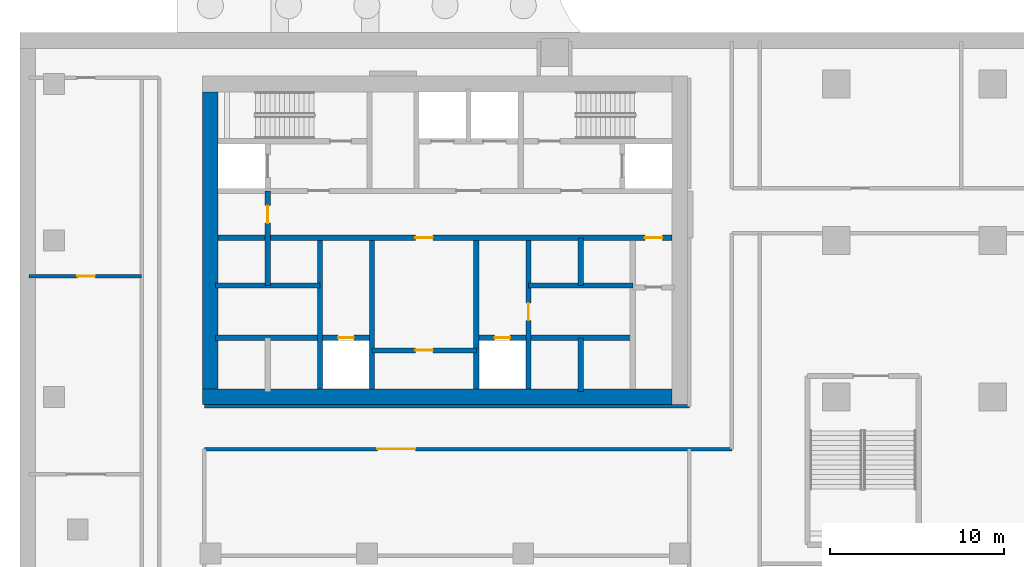
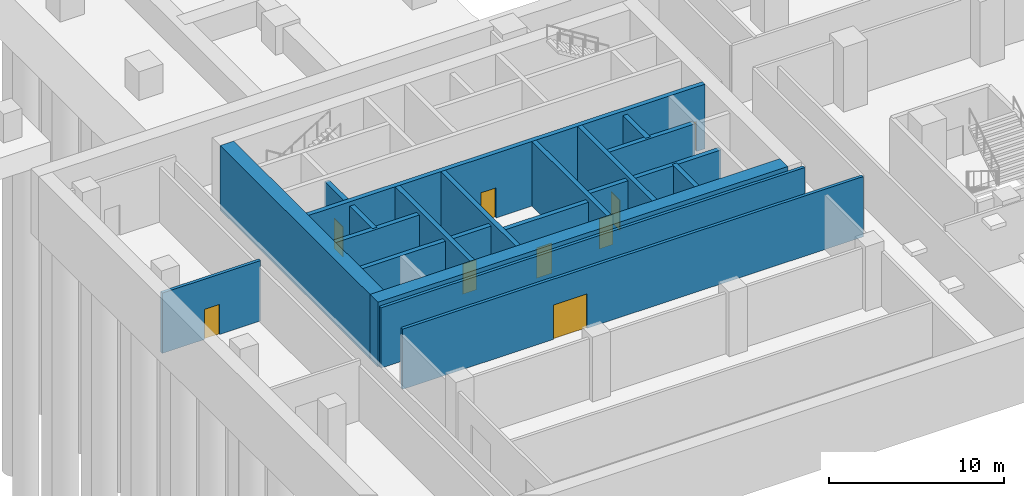
# One storey, part 4 of 14: 18 walls, 9 doors, 9 openings.
"""IFC4 building model written with IfcOpenShell, lengths in metres."""

from ifc_helpers import new_model, si_unit, direction, frame, frame_2d, origin, place, context, subcontext, project, spatial, rectangle, extrude, material, layer, layer_set, type_object, element, fill, save


model = new_model("IFC4")

# Units and contexts
model_context = context("Model", 3, precision=1e-05, world=origin(), true_north=direction((0.0, 1.0)))
body_context = subcontext(model_context, "Body", "Model", "MODEL_VIEW")
ifc_project = project(units=[si_unit("LENGTHUNIT", "METRE"), si_unit("AREAUNIT", "SQUARE_METRE"), si_unit("VOLUMEUNIT", "CUBIC_METRE"), si_unit("PLANEANGLEUNIT", "RADIAN"), si_unit("MASSUNIT", "GRAM", prefix="KILO")], contexts=[model_context])

# Site, building, storey
site_placement = place(None, origin())
site = spatial("IfcSite", under=ifc_project, at=site_placement, CompositionType="ELEMENT")
building_placement = place(site_placement, origin())
building = spatial("IfcBuilding", under=site, at=building_placement, Name="Ogive Portal Towers", CompositionType="ELEMENT")
storey_placement = place(building_placement, frame((0.0, 0.0, -4.5)))
storey = spatial("IfcBuildingStorey", under=building, at=storey_placement, Name="B1", CompositionType="ELEMENT", Elevation=-4.5)

# Walls
ifc_material_1 = material(Name="Concrete C60/75", Category="concrete")
ifc_layer_1 = layer(ifc_material_1, 0.300048828125)
ifc_layer_set_1 = layer_set([ifc_layer_1], Name="CORE WALL 300 C60")
wall_type_1 = type_object("IfcWallType", Name="CORE WALL 300 C60", PredefinedType="SHEAR", material=ifc_layer_set_1)
for number, where, z_axis, x_axis, name in (
    (1, (37.800048828125, 21.949951171875, 0.0), (0.0, 0.0, 1.0), (0.0, 1.0, 0.0), "Core wall X1 B1"),
    (2, (40.800048828125, 21.949951171875, 0.0), (0.0, 0.0, 1.0), (0.0, 1.0, 0.0), "Core wall X2 B1"),
    (3, (46.800048828125, 21.949951171875, 0.0), (0.0, 0.0, 1.0), (0.0, 1.0, 0.0), "Core wall X3 B1"),
):
    element("IfcWall", number, at=place(storey_placement, frame(where, z_axis=z_axis, x_axis=x_axis)), inside=storey, type_object=wall_type_1, Name=name, PredefinedType="SHEAR", context=body_context, shape_type="SweptSolid", body=[
        extrude(rectangle(XDim=8.550048828125, YDim=0.300048828125, at=frame_2d((4.27490234375, 0.0))), origin(), (0.0, 0.0, 1.0), 4.5),
    ])

# Wall, opening, door
wall_1_placement = place(storey_placement, frame((49.800048828125, 21.949951171875, 0.0), z_axis=(0.0, 0.0, 1.0), x_axis=(0.0, 1.0, 0.0)))
wall_1 = element("IfcWall", 4, at=wall_1_placement, inside=storey, type_object=wall_type_1, Name="Core wall X4 B1", PredefinedType="SHEAR", context=body_context, shape_type="SweptSolid", body=[
    extrude(rectangle(XDim=8.550048828125, YDim=0.300048828125, at=frame_2d((4.27490234375, 0.0))), origin(), (0.0, 0.0, 1.0), 4.5),
])
opening_1_placement = place(wall_1_placement, frame((3.949951171875, 0.0, 0.0)))
opening_1 = element("IfcOpeningElement", 5, at=opening_1_placement, cuts=wall_1, Name="Opening D101-016", PredefinedType="OPENING", context=body_context, shape_type="SweptSolid", body=[
    extrude(rectangle(XDim=1.0, YDim=2.10009765625, at=frame_2d((0.5, 1.050048828125))), frame((0.0, 0.16015625, 0.0), z_axis=(0.0, -1.0, 0.0), x_axis=(1.0, 0.0, 0.0)), (0.0, 0.0, 1.0), 0.320068359375),
])
ifc_material_2 = material(Name="Steel fire door", Category="steel")
door_type_1 = type_object("IfcDoorType", Name="DT-SWING-1000x2100-FD90S", OperationType="SINGLE_SWING_LEFT", PredefinedType="DOOR", material=ifc_material_2)
door_1_placement = place(opening_1_placement, origin())
door_1 = element("IfcDoor", 6, at=door_1_placement, inside=storey, type_object=door_type_1, Name="Door D101-016", OperationType="SINGLE_SWING_LEFT", OverallHeight=2.10009765625, OverallWidth=1.0, PredefinedType="DOOR", context=body_context, shape_type="SweptSolid", body=[
    extrude(rectangle(XDim=1.0, YDim=2.10009765625, at=frame_2d((0.5, 1.050048828125))), frame((0.0, 0.02490234375, 0.0), z_axis=(0.0, -1.0, 0.0), x_axis=(1.0, 0.0, 0.0)), (0.0, 0.0, 1.0), 0.050048828125),
])
fill(opening_1, door_1)

# Wall, openings, doors
wall_2_placement = place(storey_placement, frame((31.949951171875, 30.64990234375, 0.0), z_axis=(0.0, 0.0, 1.0), x_axis=(1.0, 0.0, 0.0)))
wall_2 = element("IfcWall", 7, at=wall_2_placement, inside=storey, type_object=wall_type_1, Name="Core wall Y1 B1", PredefinedType="SHEAR", context=body_context, shape_type="SweptSolid", body=[
    extrude(rectangle(XDim=26.10009765625, YDim=0.300048828125, at=frame_2d((13.050048828125, 0.0))), origin(), (0.0, 0.0, 1.0), 4.5),
])
opening_2_placement = place(wall_2_placement, frame((24.550048828125, 0.0, 0.0)))
opening_2 = element("IfcOpeningElement", 8, at=opening_2_placement, cuts=wall_2, Name="Opening D101-008", PredefinedType="OPENING", context=body_context, shape_type="SweptSolid", body=[
    extrude(rectangle(XDim=1.0, YDim=2.10009765625, at=frame_2d((0.5, 1.050048828125))), frame((0.0, 0.16015625, 0.0), z_axis=(0.0, -1.0, 0.0), x_axis=(1.0, 0.0, 0.0)), (0.0, 0.0, 1.0), 0.320068359375),
])
opening_3_placement = place(wall_2_placement, frame((11.35009765625, 0.0, 0.0)))
opening_3 = element("IfcOpeningElement", 9, at=opening_3_placement, cuts=wall_2, Name="Opening D101-014", PredefinedType="OPENING", context=body_context, shape_type="SweptSolid", body=[
    extrude(rectangle(XDim=1.0, YDim=2.10009765625, at=frame_2d((0.5, 1.050048828125))), frame((0.0, 0.16015625, 0.0), z_axis=(0.0, -1.0, 0.0), x_axis=(1.0, 0.0, 0.0)), (0.0, 0.0, 1.0), 0.320068359375),
])
door_2_placement = place(opening_2_placement, origin())
door_2 = element("IfcDoor", 10, at=door_2_placement, inside=storey, type_object=door_type_1, Name="Door D101-008", OperationType="SINGLE_SWING_LEFT", OverallHeight=2.10009765625, OverallWidth=1.0, PredefinedType="DOOR", context=body_context, shape_type="SweptSolid", body=[
    extrude(rectangle(XDim=1.0, YDim=2.10009765625, at=frame_2d((0.5, 1.050048828125))), frame((0.0, 0.02490234375, 0.0), z_axis=(0.0, -1.0, 0.0), x_axis=(1.0, 0.0, 0.0)), (0.0, 0.0, 1.0), 0.050048828125),
])
fill(opening_2, door_2)
door_3_placement = place(opening_3_placement, origin())
door_3 = element("IfcDoor", 11, at=door_3_placement, inside=storey, type_object=door_type_1, Name="Door D101-014", OperationType="SINGLE_SWING_LEFT", OverallHeight=2.10009765625, OverallWidth=1.0, PredefinedType="DOOR", context=body_context, shape_type="SweptSolid", body=[
    extrude(rectangle(XDim=1.0, YDim=2.10009765625, at=frame_2d((0.5, 1.050048828125))), frame((0.0, 0.02490234375, 0.0), z_axis=(0.0, -1.0, 0.0), x_axis=(1.0, 0.0, 0.0)), (0.0, 0.0, 1.0), 0.050048828125),
])
fill(opening_3, door_3)

# Walls
ifc_layer_2 = layer(ifc_material_1, 0.89990234375)
ifc_layer_set_2 = layer_set([ifc_layer_2], Name="CORE WALL 900 C60")
wall_type_2 = type_object("IfcWallType", Name="CORE WALL 900 C60", PredefinedType="SHEAR", material=ifc_layer_set_2)
wall_3_placement = place(storey_placement, frame((31.5, 21.949951171875, 0.0), z_axis=(0.0, 0.0, 1.0), x_axis=(0.0, 1.0, 0.0)))
element("IfcWall", 12, at=wall_3_placement, inside=storey, type_object=wall_type_2, Name="Core wall W B1", PredefinedType="SHEAR", context=body_context, shape_type="SweptSolid", body=[
    extrude(rectangle(XDim=17.10009765625, YDim=0.89990234375, at=frame_2d((8.550048828125, 0.0))), origin(), (0.0, 0.0, 1.0), 4.5),
])
wall_4_placement = place(storey_placement, frame((31.050048828125, 21.5, 0.0), z_axis=(0.0, 0.0, 1.0), x_axis=(1.0, 0.0, 0.0)))
element("IfcWall", 13, at=wall_4_placement, inside=storey, type_object=wall_type_2, Name="Core wall S B1", PredefinedType="SHEAR", context=body_context, shape_type="SweptSolid", body=[
    extrude(rectangle(XDim=27.0, YDim=0.89990234375, at=frame_2d((13.5, 0.0))), origin(), (0.0, 0.0, 1.0), 4.5),
])

# Wall, opening, door
ifc_material_3 = material(Name="Gypsum board partition on steel studs", Category="steel")
ifc_layer_3 = layer(ifc_material_3, 0.199951171875)
ifc_layer_set_3 = layer_set([ifc_layer_3], Name="WT-PART-200-EI 60")
wall_type_3 = type_object("IfcWallType", Name="WT-PART-200-EI 60", PredefinedType="PARTITIONING", material=ifc_layer_set_3)
wall_5_placement = place(storey_placement, frame((31.14990234375, 18.5, 0.0), z_axis=(0.0, 0.0, 1.0), x_axis=(1.0, 0.0, 0.0)))
wall_5 = element("IfcWall", 14, at=wall_5_placement, inside=storey, type_object=wall_type_3, Name="Wall B1:w006", PredefinedType="PARTITIONING", context=body_context, shape_type="SweptSolid", body=[
    extrude(rectangle(XDim=30.35009765625, YDim=0.199951171875, at=frame_2d((15.175048828125, 0.0))), origin(), (0.0, 0.0, 1.0), 4.199951171875),
])
opening_4_placement = place(wall_5_placement, frame((9.949951171875, 0.0, 0.0)))
opening_4 = element("IfcOpeningElement", 15, at=opening_4_placement, cuts=wall_5, Name="Opening PB1-014", PredefinedType="OPENING", context=body_context, shape_type="SweptSolid", body=[
    extrude(rectangle(XDim=2.199951171875, YDim=2.39990234375, at=frame_2d((1.10009765625, 1.199951171875))), frame((0.0, 0.10986328125, 0.0), z_axis=(0.0, -1.0, 0.0), x_axis=(1.0, 0.0, 0.0)), (0.0, 0.0, 1.0), 0.219970703125),
])
door_type_2 = type_object("IfcDoorType", Name="DT-PLANT-2200x2400-FD60S", OperationType="SINGLE_SWING_LEFT", PredefinedType="DOOR", material=ifc_material_2)
door_4_placement = place(opening_4_placement, origin())
door_4 = element("IfcDoor", 16, at=door_4_placement, inside=storey, type_object=door_type_2, Name="Door PB1-014", OperationType="SINGLE_SWING_RIGHT", OverallHeight=2.39990234375, OverallWidth=2.199951171875, PredefinedType="DOOR", context=body_context, shape_type="SweptSolid", body=[
    extrude(rectangle(XDim=2.199951171875, YDim=2.39990234375, at=frame_2d((1.10009765625, 1.199951171875))), frame((0.0, 0.02490234375, 0.0), z_axis=(0.0, -1.0, 0.0), x_axis=(1.0, 0.0, 0.0)), (0.0, 0.0, 1.0), 0.050048828125),
])
fill(opening_4, door_4)

# Wall
wall_6_placement = place(storey_placement, frame((31.14990234375, 20.949951171875, 0.0), z_axis=(0.0, 0.0, 1.0), x_axis=(1.0, 0.0, 0.0)))
element("IfcWall", 17, at=wall_6_placement, inside=storey, type_object=wall_type_3, Name="Wall B1:w007", PredefinedType="PARTITIONING", context=body_context, shape_type="SweptSolid", body=[
    extrude(rectangle(XDim=27.900146484375, YDim=0.199951171875, at=frame_2d((13.9501953125, 0.0))), origin(), (0.0, 0.0, 1.0), 4.199951171875),
])

# Wall, opening, door
wall_7_placement = place(storey_placement, frame((21.070068359375, 28.449951171875, 0.0), z_axis=(0.0, 0.0, 1.0), x_axis=(1.0, 0.0, 0.0)))
wall_7 = element("IfcWall", 18, at=wall_7_placement, inside=storey, type_object=wall_type_3, Name="Wall B1:w010", PredefinedType="PARTITIONING", context=body_context, shape_type="SweptSolid", body=[
    extrude(rectangle(XDim=6.47998046875, YDim=0.199951171875, at=frame_2d((3.239990234375, 0.0))), origin(), (0.0, 0.0, 1.0), 4.199951171875),
])
opening_5_placement = place(wall_7_placement, frame((2.780029296875, 0.0, 0.0)))
opening_5 = element("IfcOpeningElement", 19, at=opening_5_placement, cuts=wall_7, Name="Opening PB1-015", PredefinedType="OPENING", context=body_context, shape_type="SweptSolid", body=[
    extrude(rectangle(XDim=1.0, YDim=2.10009765625, at=frame_2d((0.5, 1.050048828125))), frame((0.0, 0.10986328125, 0.0), z_axis=(0.0, -1.0, 0.0), x_axis=(1.0, 0.0, 0.0)), (0.0, 0.0, 1.0), 0.219970703125),
])
door_type_3 = type_object("IfcDoorType", Name="DT-SWING-1000x2100-FD60S", OperationType="SINGLE_SWING_LEFT", PredefinedType="DOOR", material=ifc_material_2)
door_5_placement = place(opening_5_placement, origin())
door_5 = element("IfcDoor", 20, at=door_5_placement, inside=storey, type_object=door_type_3, Name="Door PB1-015", OperationType="SINGLE_SWING_LEFT", OverallHeight=2.10009765625, OverallWidth=1.0, PredefinedType="DOOR", context=body_context, shape_type="SweptSolid", body=[
    extrude(rectangle(XDim=1.0, YDim=2.10009765625, at=frame_2d((0.5, 1.050048828125))), frame((0.0, 0.02490234375, 0.0), z_axis=(0.0, -1.0, 0.0), x_axis=(1.0, 0.0, 0.0)), (0.0, 0.0, 1.0), 0.050048828125),
])
fill(opening_5, door_5)

ifc_layer_4 = layer(ifc_material_3, 0.300048828125)
ifc_layer_set_4 = layer_set([ifc_layer_4], Name="WT-PART-300")
wall_type_4 = type_object("IfcWallType", Name="WT-PART-300", PredefinedType="PARTITIONING", material=ifc_layer_set_4)
wall_8_placement = place(storey_placement, frame((40.800048828125, 24.173095703125, 0.0), z_axis=(0.0, 0.0, 1.0), x_axis=(1.0, 0.0, 0.0)))
wall_8 = element("IfcWall", 21, at=wall_8_placement, inside=storey, type_object=wall_type_4, Name="Wall pw:001:B1", PredefinedType="PARTITIONING", context=body_context, shape_type="SweptSolid", body=[
    extrude(rectangle(XDim=6.0, YDim=0.300048828125, at=frame_2d((3.0, 0.0))), origin(), (0.0, 0.0, 1.0), 4.199951171875),
])
opening_6_placement = place(wall_8_placement, frame((2.5, 0.0, 0.0)))
opening_6 = element("IfcOpeningElement", 22, at=opening_6_placement, cuts=wall_8, Name="Opening D101-015", PredefinedType="OPENING", context=body_context, shape_type="SweptSolid", body=[
    extrude(rectangle(XDim=1.0, YDim=2.10009765625, at=frame_2d((0.5, 1.050048828125))), frame((0.0, 0.16015625, 0.0), z_axis=(0.0, -1.0, 0.0), x_axis=(1.0, 0.0, 0.0)), (0.0, 0.0, 1.0), 0.320068359375),
])
door_6_placement = place(opening_6_placement, origin())
door_6 = element("IfcDoor", 23, at=door_6_placement, inside=storey, type_object=door_type_3, Name="Riser access door D101-015", OperationType="SINGLE_SWING_RIGHT", OverallHeight=2.10009765625, OverallWidth=1.0, PredefinedType="DOOR", context=body_context, shape_type="SweptSolid", body=[
    extrude(rectangle(XDim=1.0, YDim=2.10009765625, at=frame_2d((0.5, 1.050048828125))), frame((0.0, 0.02490234375, 0.0), z_axis=(0.0, -1.0, 0.0), x_axis=(1.0, 0.0, 0.0)), (0.0, 0.0, 1.0), 0.050048828125),
])
fill(opening_6, door_6)

ifc_material_4 = material(Name="Concrete C40/50", Category="concrete")
ifc_layer_5 = layer(ifc_material_4, 0.300048828125)
ifc_layer_set_5 = layer_set([ifc_layer_5], Name="WT-SHAFT-300")
wall_type_5 = type_object("IfcWallType", Name="WT-SHAFT-300", PredefinedType="SOLIDWALL", material=ifc_layer_set_5)
wall_9_placement = place(storey_placement, frame((31.800048828125, 24.89990234375, 0.0), z_axis=(0.0, 0.0, 1.0), x_axis=(1.0, 0.0, 0.0)))
wall_9 = element("IfcWall", 24, at=wall_9_placement, inside=storey, type_object=wall_type_5, Name="Wall pw:002:B1", PredefinedType="SOLIDWALL", context=body_context, shape_type="SweptSolid", body=[
    extrude(rectangle(XDim=9.0, YDim=0.300048828125, at=frame_2d((4.5, 0.0))), origin(), (0.0, 0.0, 1.0), 4.199951171875),
])
opening_7_placement = place(wall_9_placement, frame((7.050048828125, 0.0, 0.0)))
opening_7 = element("IfcOpeningElement", 25, at=opening_7_placement, cuts=wall_9, Name="Opening D101-006", PredefinedType="OPENING", context=body_context, shape_type="SweptSolid", body=[
    extrude(rectangle(XDim=0.89990234375, YDim=2.10009765625, at=frame_2d((0.449951171875, 1.050048828125))), frame((0.0, 0.16015625, 0.0), z_axis=(0.0, -1.0, 0.0), x_axis=(1.0, 0.0, 0.0)), (0.0, 0.0, 1.0), 0.320068359375),
])
door_type_4 = type_object("IfcDoorType", Name="DT-SWING-900x2100-FD90S", OperationType="SINGLE_SWING_LEFT", PredefinedType="DOOR", material=ifc_material_2)
door_7_placement = place(opening_7_placement, origin())
door_7 = element("IfcDoor", 26, at=door_7_placement, inside=storey, type_object=door_type_4, Name="Riser access door D101-006", OperationType="SINGLE_SWING_LEFT", OverallHeight=2.10009765625, OverallWidth=0.89990234375, PredefinedType="DOOR", context=body_context, shape_type="SweptSolid", body=[
    extrude(rectangle(XDim=0.89990234375, YDim=2.10009765625, at=frame_2d((0.449951171875, 1.050048828125))), frame((0.0, 0.02490234375, 0.0), z_axis=(0.0, -1.0, 0.0), x_axis=(1.0, 0.0, 0.0)), (0.0, 0.0, 1.0), 0.050048828125),
])
fill(opening_7, door_7)

wall_10_placement = place(storey_placement, frame((46.800048828125, 24.89990234375, 0.0), z_axis=(0.0, 0.0, 1.0), x_axis=(1.0, 0.0, 0.0)))
wall_10 = element("IfcWall", 27, at=wall_10_placement, inside=storey, type_object=wall_type_5, Name="Wall pw:003:B1", PredefinedType="SOLIDWALL", context=body_context, shape_type="SweptSolid", body=[
    extrude(rectangle(XDim=9.0, YDim=0.300048828125, at=frame_2d((4.5, 0.0))), origin(), (0.0, 0.0, 1.0), 4.199951171875),
])
opening_8_placement = place(wall_10_placement, frame((1.050048828125, 0.0, 0.0)))
opening_8 = element("IfcOpeningElement", 28, at=opening_8_placement, cuts=wall_10, Name="Opening D101-007", PredefinedType="OPENING", context=body_context, shape_type="SweptSolid", body=[
    extrude(rectangle(XDim=0.89990234375, YDim=2.10009765625, at=frame_2d((0.449951171875, 1.050048828125))), frame((0.0, 0.16015625, 0.0), z_axis=(0.0, -1.0, 0.0), x_axis=(1.0, 0.0, 0.0)), (0.0, 0.0, 1.0), 0.320068359375),
])
door_8_placement = place(opening_8_placement, origin())
door_8 = element("IfcDoor", 29, at=door_8_placement, inside=storey, type_object=door_type_4, Name="Riser access door D101-007", OperationType="SINGLE_SWING_RIGHT", OverallHeight=2.10009765625, OverallWidth=0.89990234375, PredefinedType="DOOR", context=body_context, shape_type="SweptSolid", body=[
    extrude(rectangle(XDim=0.89990234375, YDim=2.10009765625, at=frame_2d((0.449951171875, 1.050048828125))), frame((0.0, 0.02490234375, 0.0), z_axis=(0.0, -1.0, 0.0), x_axis=(1.0, 0.0, 0.0)), (0.0, 0.0, 1.0), 0.050048828125),
])
fill(opening_8, door_8)

# Walls
for number, where, z_axis, x_axis, name in (
    (30, (31.800048828125, 27.89990234375, 0.0), (0.0, 0.0, 1.0), (1.0, 0.0, 0.0), "Wall pw:005:B1"),
    (31, (49.800048828125, 27.89990234375, 0.0), (0.0, 0.0, 1.0), (1.0, 0.0, 0.0), "Wall pw:006:B1"),
):
    element("IfcWall", number, at=place(storey_placement, frame(where, z_axis=z_axis, x_axis=x_axis)), inside=storey, type_object=wall_type_5, Name=name, PredefinedType="SOLIDWALL", context=body_context, shape_type="SweptSolid", body=[
        extrude(rectangle(XDim=6.0, YDim=0.300048828125, at=frame_2d((3.0, 0.0))), origin(), (0.0, 0.0, 1.0), 4.199951171875),
    ])

# Wall, opening, door
wall_11_placement = place(storey_placement, frame((34.800048828125, 27.89990234375, 0.0), z_axis=(0.0, 0.0, 1.0), x_axis=(0.0, 1.0, 0.0)))
wall_11 = element("IfcWall", 32, at=wall_11_placement, inside=storey, type_object=wall_type_5, Name="Wall pw:011:B1", PredefinedType="SOLIDWALL", context=body_context, shape_type="SweptSolid", body=[
    extrude(rectangle(XDim=5.4501953125, YDim=0.300048828125, at=frame_2d((2.72509765625, 0.0))), origin(), (0.0, 0.0, 1.0), 4.199951171875),
])
opening_9_placement = place(wall_11_placement, frame((3.60009765625, 0.0, 0.0)))
opening_9 = element("IfcOpeningElement", 33, at=opening_9_placement, cuts=wall_11, Name="Opening D101-017", PredefinedType="OPENING", context=body_context, shape_type="SweptSolid", body=[
    extrude(rectangle(XDim=1.0, YDim=2.10009765625, at=frame_2d((0.5, 1.050048828125))), frame((0.0, 0.16015625, 0.0), z_axis=(0.0, -1.0, 0.0), x_axis=(1.0, 0.0, 0.0)), (0.0, 0.0, 1.0), 0.320068359375),
])
door_9_placement = place(opening_9_placement, origin())
door_9 = element("IfcDoor", 34, at=door_9_placement, inside=storey, type_object=door_type_1, Name="Door D101-017", OperationType="SINGLE_SWING_RIGHT", OverallHeight=2.10009765625, OverallWidth=1.0, PredefinedType="DOOR", context=body_context, shape_type="SweptSolid", body=[
    extrude(rectangle(XDim=1.0, YDim=2.10009765625, at=frame_2d((0.5, 1.050048828125))), frame((0.0, 0.02490234375, 0.0), z_axis=(0.0, -1.0, 0.0), x_axis=(1.0, 0.0, 0.0)), (0.0, 0.0, 1.0), 0.050048828125),
])
fill(opening_9, door_9)

# Walls
wall_12_placement = place(storey_placement, frame((52.800048828125, 21.800048828125, 0.0), z_axis=(0.0, 0.0, 1.0), x_axis=(0.0, 1.0, 0.0)))
element("IfcWall", 35, at=wall_12_placement, inside=storey, type_object=wall_type_5, Name="Wall pw:015:B1", PredefinedType="SOLIDWALL", context=body_context, shape_type="SweptSolid", body=[
    extrude(rectangle(XDim=3.099853515625, YDim=0.300048828125, at=frame_2d((1.5498046875, 0.0))), origin(), (0.0, 0.0, 1.0), 4.199951171875),
])
wall_13_placement = place(storey_placement, frame((52.800048828125, 27.89990234375, 0.0), z_axis=(0.0, 0.0, 1.0), x_axis=(0.0, 1.0, 0.0)))
element("IfcWall", 36, at=wall_13_placement, inside=storey, type_object=wall_type_5, Name="Wall pw:016:B1", PredefinedType="SOLIDWALL", context=body_context, shape_type="SweptSolid", body=[
    extrude(rectangle(XDim=2.75, YDim=0.300048828125, at=frame_2d((1.375, 0.0))), origin(), (0.0, 0.0, 1.0), 4.199951171875),
])

save(model, "model.ifc")
